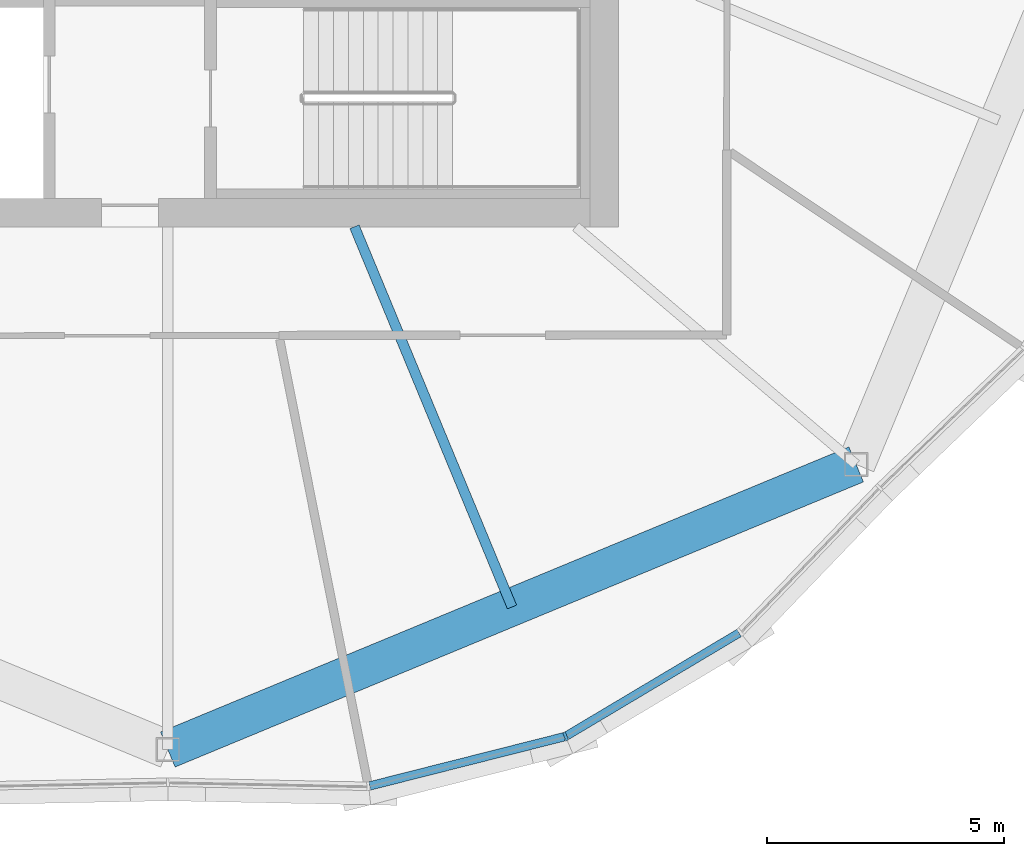
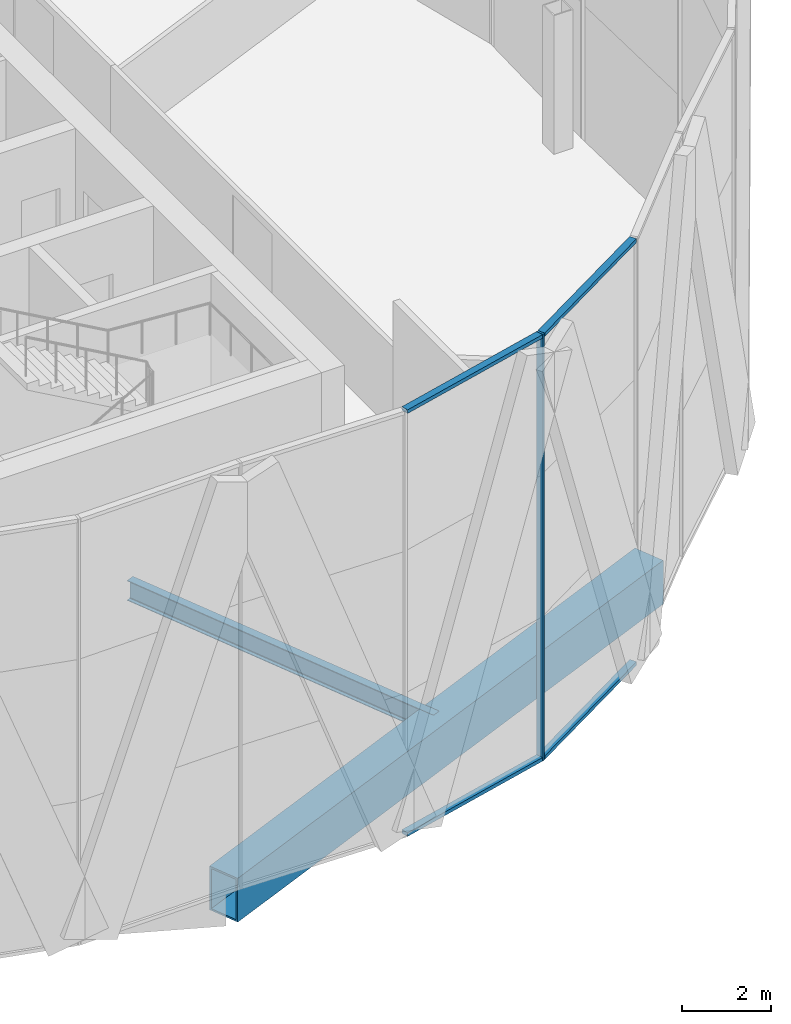
# One storey, part 4 of 25: 5 members, 2 beams, 1 element without a shape of its own.
"""IFC4 building model written with IfcOpenShell, lengths in metres."""

from ifc_helpers import new_model, si_unit, direction, frame, origin, origin_2d, place, context, subcontext, project, spatial, rectangle, hollow_rectangle, i_section, extrude, material, material_profile, profile_set, type_object, element, aggregate, save


model = new_model("IFC4")

# Units and contexts
model_context = context("Model", 3, precision=1e-05, world=origin(), true_north=direction((0.0, 1.0)))
body_context = subcontext(model_context, "Body", "Model", "MODEL_VIEW")
ifc_project = project(units=[si_unit("LENGTHUNIT", "METRE"), si_unit("AREAUNIT", "SQUARE_METRE"), si_unit("VOLUMEUNIT", "CUBIC_METRE"), si_unit("PLANEANGLEUNIT", "RADIAN"), si_unit("MASSUNIT", "GRAM", prefix="KILO")], contexts=[model_context])

# Site, building, storey
site_placement = place(None, origin())
site = spatial("IfcSite", under=ifc_project, at=site_placement, CompositionType="ELEMENT")
building_placement = place(site_placement, origin())
building = spatial("IfcBuilding", under=site, at=building_placement, Name="Ogive Gate Towers", CompositionType="ELEMENT")
storey_placement = place(building_placement, frame((0.0, 0.0, 196.800048828125)))
storey = spatial("IfcBuildingStorey", under=building, at=storey_placement, Name="L47", CompositionType="ELEMENT", Elevation=196.800048828125)

# Beams
ifc_material_1 = material(Name="Steel SM460", Category="steel")
ifc_material_profile_1 = material_profile(ifc_material_1, hollow_rectangle(XDim=0.800048828125, YDim=1.199951171875, WallThickness=0.050048828125, at=origin_2d()), Name="BX 1200x800x50")
ifc_profile_set_1 = profile_set([ifc_material_profile_1], Name="Steel SM460")
beam_type_1 = type_object("IfcBeamType", Name="Edge girder BX 1200x800x50", PredefinedType="BEAM", material=ifc_profile_set_1)
beam_1_placement = place(storey_placement, frame((-36.0, -20.52001953125, -0.900146484375), z_axis=(0.923877006731, 0.38268953008, 0.0), x_axis=(-0.38268953008, 0.923877006731, 0.0)))
element("IfcBeam", 1, at=beam_1_placement, inside=storey, type_object=beam_type_1, Name="T1/L47/SBM018", PredefinedType="BEAM", context=body_context, shape_type="SweptSolid", body=[
    extrude(hollow_rectangle(XDim=0.800048828125, YDim=1.199951171875, WallThickness=0.050048828125, at=origin_2d()), origin(), (0.0, 0.0, 1.0), 15.705322265625),
])
ifc_material_2 = material(Name="Steel SM355", Category="steel")
ifc_material_profile_2 = material_profile(ifc_material_2, i_section(OverallWidth=0.2099609375, OverallDepth=0.550048828125, WebThickness=0.010986328125, FlangeThickness=0.01708984375, FilletRadius=0.02392578125, at=origin_2d()), Name="IPE 550")
ifc_profile_set_2 = profile_set([ifc_material_profile_2], Name="Steel SM355")
beam_type_2 = type_object("IfcBeamType", Name="Radial floor beam IPE 550", PredefinedType="BEAM", material=ifc_profile_set_2)
beam_2_placement = place(storey_placement, frame((-32.06494140625, -9.5, -0.574951171875), z_axis=(0.382678218882, -0.92388169199, 0.0), x_axis=(0.92388169199, 0.382678218882, 0.0)))
element("IfcBeam", 2, at=beam_2_placement, inside=storey, type_object=beam_type_2, Name="T1/L47/SBM004", PredefinedType="BEAM", context=body_context, shape_type="SweptSolid", body=[
    extrude(i_section(OverallWidth=0.2099609375, OverallDepth=0.550048828125, WebThickness=0.010986328125, FlangeThickness=0.01708984375, FilletRadius=0.02392578125, at=origin_2d()), origin(), (0.0, 0.0, 1.0), 8.67529296875),
])

# Curtain wall, members
ifc_material_3 = material(Name="Pale metal aluminium", Category="aluminium")
curtain_wall_type = type_object("IfcCurtainWallType", Name="Tower unitised wall, high zone", PredefinedType="NOTDEFINED", material=ifc_material_3)
curtain_wall_placement = place(storey_placement, origin())
curtain_wall = element("IfcCurtainWall", 3, at=curtain_wall_placement, inside=storey, type_object=curtain_wall_type, Name="CW2 T1 ECW07", PredefinedType="NOTDEFINED")
ifc_material_profile_3 = material_profile(ifc_material_3, rectangle(XDim=0.179931640625, YDim=0.06005859375, at=origin_2d()), Name="60 x 180 aluminium box")
ifc_profile_set_3 = profile_set([ifc_material_profile_3], Name="Pale metal aluminium")
member_type_1 = type_object("IfcMemberType", Name="Tower unitised wall, high zone mullion 60 x 180", PredefinedType="MULLION", material=ifc_profile_set_3)
member_1_placement = place(storey_placement, frame((-27.614990234375, -20.2431640625, -0.300048828125), z_axis=(0.0, 0.0, 1.0), x_axis=(0.382683432365, -0.923879532511, 0.0)))
member_1 = element("IfcMember", 4, at=member_1_placement, type_object=member_type_1, Name="CW2 mullion", PredefinedType="MULLION", context=body_context, shape_type="SweptSolid", body=[
    extrude(rectangle(XDim=0.179931640625, YDim=0.06005859375, at=origin_2d()), origin(), (0.0, 0.0, 1.0), 11.699951171875),
])
ifc_material_profile_4 = material_profile(ifc_material_3, rectangle(XDim=0.179931640625, YDim=0.10009765625, at=origin_2d()), Name="100 x 180 aluminium box")
ifc_profile_set_4 = profile_set([ifc_material_profile_4], Name="Pale metal aluminium")
member_type_2 = type_object("IfcMemberType", Name="Tower unitised wall, high zone transom 100 x 180", PredefinedType="USERDEFINED", material=ifc_profile_set_4)
member_2_placement = place(storey_placement, frame((-31.744140625, -21.28759765625, 11.349853515625), z_axis=(0.969459806068, 0.245250248559, 0.0), x_axis=(-0.245250248559, 0.969459806068, 0.0)))
member_2 = element("IfcMember", 5, at=member_2_placement, type_object=member_type_2, Name="CW2 transom", ObjectType="TRANSOM", PredefinedType="USERDEFINED", context=body_context, shape_type="SweptSolid", body=[
    extrude(rectangle(XDim=0.179931640625, YDim=0.10009765625, at=origin_2d()), origin(), (0.0, 0.0, 1.0), 4.230712890625),
])
member_3_placement = place(storey_placement, frame((-31.744140625, -21.28759765625, -0.25), z_axis=(0.969459806068, 0.245250248559, 0.0), x_axis=(-0.245250248559, 0.969459806068, 0.0)))
member_3 = element("IfcMember", 6, at=member_3_placement, type_object=member_type_2, Name="CW2 transom", ObjectType="TRANSOM", PredefinedType="USERDEFINED", context=body_context, shape_type="SweptSolid", body=[
    extrude(rectangle(XDim=0.179931640625, YDim=0.10009765625, at=origin_2d()), origin(), (0.0, 0.0, 1.0), 4.230712890625),
])
member_4_placement = place(storey_placement, frame((-27.590576171875, -20.228515625, 11.349853515625), z_axis=(0.858950879232, 0.512057991899, 0.0), x_axis=(-0.512057991899, 0.858950879232, 0.0)))
member_4 = element("IfcMember", 7, at=member_4_placement, type_object=member_type_2, Name="CW2 transom", ObjectType="TRANSOM", PredefinedType="USERDEFINED", context=body_context, shape_type="SweptSolid", body=[
    extrude(rectangle(XDim=0.179931640625, YDim=0.10009765625, at=origin_2d()), origin(), (0.0, 0.0, 1.0), 4.23046875),
])
member_5_placement = place(storey_placement, frame((-27.590576171875, -20.228515625, -0.25), z_axis=(0.858950879232, 0.512057991899, 0.0), x_axis=(-0.512057991899, 0.858950879232, 0.0)))
member_5 = element("IfcMember", 8, at=member_5_placement, type_object=member_type_2, Name="CW2 transom", ObjectType="TRANSOM", PredefinedType="USERDEFINED", context=body_context, shape_type="SweptSolid", body=[
    extrude(rectangle(XDim=0.179931640625, YDim=0.10009765625, at=origin_2d()), origin(), (0.0, 0.0, 1.0), 4.23046875),
])
aggregate(curtain_wall, [member_1, member_2, member_3, member_4, member_5])

save(model, "model.ifc")
